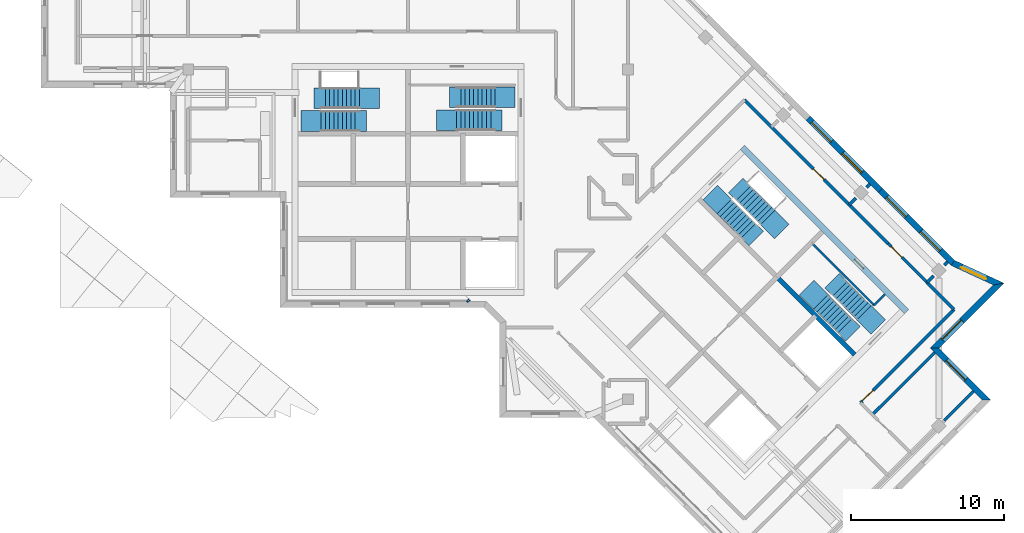
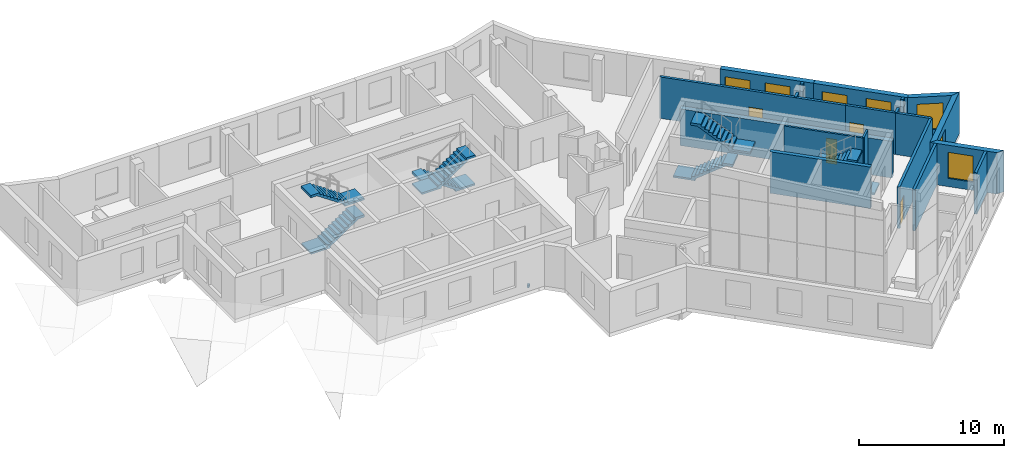
# One storey, part 10 of 13: 20 walls, 8 stair flights, 7 windows, 4 doors, 11 openings, 4 elements without a shape of their own.
"""IFC4 building model written with IfcOpenShell, lengths in metres."""

from ifc_helpers import new_model, si_unit, direction, frame, frame_2d, origin, place, context, subcontext, project, spatial, polyline, rectangle, outline, extrude, material, layer, layer_set, type_object, element, fill, aggregate, save


model = new_model("IFC4")

# Units and contexts
model_context = context("Model", 3, precision=1e-05, world=origin(), true_north=direction((0.0, 1.0)))
body_context = subcontext(model_context, "Body", "Model", "MODEL_VIEW")
ifc_project = project(units=[si_unit("LENGTHUNIT", "METRE"), si_unit("AREAUNIT", "SQUARE_METRE"), si_unit("VOLUMEUNIT", "CUBIC_METRE"), si_unit("PLANEANGLEUNIT", "RADIAN"), si_unit("MASSUNIT", "GRAM", prefix="KILO")], contexts=[model_context])

# Site, building, storey
site_placement = place(None, origin())
site = spatial("IfcSite", under=ifc_project, at=site_placement, CompositionType="ELEMENT")
building_placement = place(site_placement, origin())
building = spatial("IfcBuilding", under=site, at=building_placement, Name="Windrow Commons", CompositionType="ELEMENT")
storey_placement = place(building_placement, frame((0.0, 0.0, 294.4)))
storey = spatial("IfcBuildingStorey", under=building, at=storey_placement, Name="L80", CompositionType="ELEMENT", Elevation=294.4)

# Wall, opening, door
ifc_material_1 = material(Name="Blockwork partition", Category="masonry")
ifc_layer_1 = layer(ifc_material_1, 0.2)
ifc_layer_set_1 = layer_set([ifc_layer_1], Name="IW-CORRIDOR-200")
wall_type_1 = type_object("IfcWallType", Name="IW-CORRIDOR-200", PredefinedType="PARTITIONING", material=ifc_layer_set_1)
wall_1_placement = place(storey_placement, frame((86.833, 62.805, 0.0), z_axis=(0.0, 0.0, 1.0), x_axis=(0.7072045138, -0.7070090351, 0.0)))
wall_1 = element("IfcWall", 1, at=wall_1_placement, inside=storey, type_object=wall_type_1, Name="W-L80-W002", PredefinedType="PARTITIONING", context=body_context, shape_type="SweptSolid", body=[
    extrude(rectangle(XDim=13.3007, YDim=0.2, at=frame_2d((6.6504, 0.0))), origin(), (0.0, 0.0, 1.0), 3.5),
])
opening_1_placement = place(wall_1_placement, frame((6.3871, 0.0, 0.0)))
opening_1 = element("IfcOpeningElement", 2, at=opening_1_placement, cuts=wall_1, Name="Opening D410F", PredefinedType="OPENING", context=body_context, shape_type="SweptSolid", body=[
    extrude(rectangle(XDim=1.0, YDim=2.1, at=frame_2d((0.5, 1.05))), frame((0.0, 0.11, 0.0), z_axis=(0.0, -1.0, 0.0), x_axis=(1.0, 0.0, 0.0)), (0.0, 0.0, 1.0), 0.22),
])
ifc_material_2 = material(Name="Timber door leaf", Category="wood")
door_type_1 = type_object("IfcDoorType", Name="DT-SERVICE-1000", OperationType="SINGLE_SWING_LEFT", PredefinedType="DOOR", material=ifc_material_2)
door_1_placement = place(opening_1_placement, origin())
door_1 = element("IfcDoor", 3, at=door_1_placement, inside=storey, type_object=door_type_1, Name="D-L80-D012", OperationType="SINGLE_SWING_LEFT", OverallHeight=2.1, OverallWidth=1.0, PredefinedType="DOOR", context=body_context, shape_type="SweptSolid", body=[
    extrude(rectangle(XDim=1.0, YDim=2.1, at=frame_2d((0.5, 1.05))), frame((0.0, 0.025, 0.0), z_axis=(0.0, -1.0, 0.0), x_axis=(1.0, 0.0, 0.0)), (0.0, 0.0, 1.0), 0.05),
])
fill(opening_1, door_1)

wall_2_placement = place(storey_placement, frame((94.4376, 42.9744, 0.0), z_axis=(0.0, 0.0, 1.0), x_axis=(0.7071067812, 0.7071067812, 0.0)))
wall_2 = element("IfcWall", 4, at=wall_2_placement, inside=storey, type_object=wall_type_1, Name="W-L80-W007", PredefinedType="PARTITIONING", context=body_context, shape_type="SweptSolid", body=[
    extrude(rectangle(XDim=8.6493, YDim=0.2, at=frame_2d((4.3247, 0.0))), origin(), (0.0, 0.0, 1.0), 3.5),
])
opening_2_placement = place(wall_2_placement, frame((0.1498, 0.0, 0.0)))
opening_2 = element("IfcOpeningElement", 5, at=opening_2_placement, cuts=wall_2, Name="Opening D410F", PredefinedType="OPENING", context=body_context, shape_type="SweptSolid", body=[
    extrude(rectangle(XDim=1.0, YDim=2.1, at=frame_2d((0.5, 1.05))), frame((0.0, 0.11, 0.0), z_axis=(0.0, -1.0, 0.0), x_axis=(1.0, 0.0, 0.0)), (0.0, 0.0, 1.0), 0.22),
])
door_2_placement = place(opening_2_placement, origin())
door_2 = element("IfcDoor", 6, at=door_2_placement, inside=storey, type_object=door_type_1, Name="D-L80-D011", OperationType="SINGLE_SWING_LEFT", OverallHeight=2.1, OverallWidth=1.0, PredefinedType="DOOR", context=body_context, shape_type="SweptSolid", body=[
    extrude(rectangle(XDim=1.0, YDim=2.1, at=frame_2d((0.5, 1.05))), frame((0.0, 0.025, 0.0), z_axis=(0.0, -1.0, 0.0), x_axis=(1.0, 0.0, 0.0)), (0.0, 0.0, 1.0), 0.05),
])
fill(opening_2, door_2)

wall_3_placement = place(storey_placement, frame((96.2437, 53.4057, 0.0), z_axis=(0.0, 0.0, 1.0), x_axis=(0.7068288851, -0.7073845681, 0.0)))
wall_3 = element("IfcWall", 7, at=wall_3_placement, inside=storey, type_object=wall_type_1, Name="W-L80-W027", PredefinedType="PARTITIONING", context=body_context, shape_type="SweptSolid", body=[
    extrude(rectangle(XDim=3.5992, YDim=0.2, at=frame_2d((1.7996, 0.0))), origin(), (0.0, 0.0, 1.0), 3.5),
])
opening_3_placement = place(wall_3_placement, frame((0.2864, 0.0, 0.0)))
opening_3 = element("IfcOpeningElement", 8, at=opening_3_placement, cuts=wall_3, Name="Opening D410F", PredefinedType="OPENING", context=body_context, shape_type="SweptSolid", body=[
    extrude(rectangle(XDim=1.0, YDim=2.1, at=frame_2d((0.5, 1.05))), frame((0.0, 0.11, 0.0), z_axis=(0.0, -1.0, 0.0), x_axis=(1.0, 0.0, 0.0)), (0.0, 0.0, 1.0), 0.22),
])
door_3_placement = place(opening_3_placement, origin())
door_3 = element("IfcDoor", 9, at=door_3_placement, inside=storey, type_object=door_type_1, Name="D-L80-D013", OperationType="SINGLE_SWING_LEFT", OverallHeight=2.1, OverallWidth=1.0, PredefinedType="DOOR", context=body_context, shape_type="SweptSolid", body=[
    extrude(rectangle(XDim=1.0, YDim=2.1, at=frame_2d((0.5, 1.05))), frame((0.0, 0.025, 0.0), z_axis=(0.0, -1.0, 0.0), x_axis=(1.0, 0.0, 0.0)), (0.0, 0.0, 1.0), 0.05),
])
fill(opening_3, door_3)

# Walls
wall_4_placement = place(storey_placement, frame((98.783, 50.855, 0.0), z_axis=(0.0, 0.0, 1.0), x_axis=(0.7071067812, -0.7071067812, 0.0)))
element("IfcWall", 10, at=wall_4_placement, inside=storey, type_object=wall_type_1, Name="W-L80-W041", PredefinedType="PARTITIONING", context=body_context, shape_type="SweptSolid", body=[
    extrude(rectangle(XDim=2.5003, YDim=0.2, at=frame_2d((1.2502, 0.0))), origin(), (0.0, 0.0, 1.0), 3.5),
])
ifc_material_3 = material(Name="Blockwork partition", Category="masonry")
ifc_layer_2 = layer(ifc_material_3, 0.2)
ifc_layer_set_2 = layer_set([ifc_layer_2], Name="IW-PARTY-200")
wall_type_2 = type_object("IfcWallType", Name="IW-PARTY-200", PredefinedType="PARTITIONING", material=ifc_layer_set_2)
for number, where, z_axis, x_axis, name in (
    (11, (98.7858, 50.8582, 0.0), (0.0, 0.0, 1.0), (0.7071067812, 0.7071067812, 0.0), "W-L80-W074"),
    (12, (93.6947, 55.9493, 0.0), (0.0, 0.0, 1.0), (0.7071067812, 0.7071067812, 0.0), "W-L80-W076"),
):
    element("IfcWall", number, at=place(storey_placement, frame(where, z_axis=z_axis, x_axis=x_axis)), inside=storey, type_object=wall_type_2, Name=name, PredefinedType="PARTITIONING", context=body_context, shape_type="SweptSolid", body=[
        extrude(rectangle(XDim=0.6053, YDim=0.2, at=frame_2d((0.3026, 0.0))), origin(), (0.0, 0.0, 1.0), 3.5),
    ])
wall_5_placement = place(storey_placement, frame((95.2174, 42.1946, 0.0), z_axis=(0.0, 0.0, 1.0), x_axis=(0.7072806841, 0.7069328355, 0.0)))
element("IfcWall", 13, at=wall_5_placement, inside=storey, type_object=wall_type_2, Name="W-L80-W012", PredefinedType="PARTITIONING", context=body_context, shape_type="SweptSolid", body=[
    extrude(outline(polyline([(0.0, -0.1), (5.7496, -0.1), (5.7496, 0.1), (0.0, 0.1), (0.0, -0.1)])), origin(), (0.0, 0.0, 1.0), 3.5),
])
wall_6_placement = place(storey_placement, frame((99.914, 41.804, 0.0), z_axis=(0.0, 0.0, 1.0), x_axis=(0.7071067812, 0.7071067812, 0.0)))
element("IfcWall", 14, at=wall_6_placement, inside=storey, type_object=wall_type_2, Name="W-L80-W032", PredefinedType="PARTITIONING", context=body_context, shape_type="SweptSolid", body=[
    extrude(outline(polyline([(0.0, -0.1), (2.7048, -0.1), (2.7048, 0.1), (0.0, 0.1), (0.0, -0.1)])), origin(), (0.0, 0.0, 1.0), 3.5),
])
wall_7_placement = place(storey_placement, frame((99.9167, 51.9833, 0.0), z_axis=(0.0, 0.0, 1.0), x_axis=(0.7087439748, 0.7054657881, 0.0)))
element("IfcWall", 15, at=wall_7_placement, inside=storey, type_object=wall_type_2, Name="W-L80-W077", PredefinedType="PARTITIONING", context=body_context, shape_type="SweptSolid", body=[
    extrude(outline(polyline([(0.0, -0.1), (0.3051, -0.1), (0.3051, 0.1), (0.0, 0.1), (0.0, -0.1)])), origin(), (0.0, 0.0, 1.0), 3.5),
])
wall_8_placement = place(storey_placement, frame((94.8271, 57.073, 0.0), z_axis=(0.0, 0.0, 1.0), x_axis=(0.7053010617, 0.7089079012, 0.0)))
element("IfcWall", 16, at=wall_8_placement, inside=storey, type_object=wall_type_2, Name="W-L80-W078", PredefinedType="PARTITIONING", context=body_context, shape_type="SweptSolid", body=[
    extrude(outline(polyline([(0.0, -0.1), (0.305, -0.1), (0.305, 0.1), (0.0, 0.1), (0.0, -0.1)])), origin(), (0.0, 0.0, 1.0), 3.5),
])

# Wall, opening, door
ifc_material_4 = material(Name="Concrete C40/50", Category="concrete")
ifc_layer_3 = layer(ifc_material_4, 0.4)
ifc_layer_set_3 = layer_set([ifc_layer_3], Name="RC CORE WALL 400 C40/50")
wall_type_3 = type_object("IfcWallType", Name="RC CORE WALL 400 C40/50", PredefinedType="SHEAR", material=ifc_layer_set_3)
wall_9_placement = place(storey_placement, frame((86.6953, 59.6963, -0.3), z_axis=(0.0, 0.0, 1.0), x_axis=(0.7071100706, -0.7071034917, 0.0)))
wall_9 = element("IfcWall", 17, at=wall_9_placement, inside=storey, type_object=wall_type_3, Name="Core B wall outer-N", PredefinedType="SHEAR", context=body_context, shape_type="SweptSolid", body=[
    extrude(outline(polyline([(0.0, 0.0), (15.2, 0.0), (15.2, 3.1), (0.0, 3.1), (0.0, 0.0)])), frame((0.0, 0.2, 0.0), z_axis=(0.0, -1.0, 0.0), x_axis=(1.0, 0.0, 0.0)), (0.0, 0.0, 1.0), 0.4),
])
opening_4_placement = place(wall_9_placement, frame((10.4, 0.0, 0.3)))
opening_4 = element("IfcOpeningElement", 18, at=opening_4_placement, cuts=wall_9, Name="Opening D9", PredefinedType="OPENING", context=body_context, shape_type="SweptSolid", body=[
    extrude(rectangle(XDim=0.8, YDim=2.1, at=frame_2d((0.4, 1.05))), frame((0.0, 0.21, 0.0), z_axis=(0.0, -1.0, 0.0), x_axis=(1.0, 0.0, 0.0)), (0.0, 0.0, 1.0), 0.42),
])
ifc_material_5 = material(Name="Steel fire door leaf", Category="steel")
door_type_2 = type_object("IfcDoorType", Name="Riser access door 800", OperationType="SINGLE_SWING_LEFT", PredefinedType="DOOR", material=ifc_material_5)
door_4_placement = place(opening_4_placement, origin())
door_4 = element("IfcDoor", 19, at=door_4_placement, inside=storey, type_object=door_type_2, Name="Riser access door", OperationType="SINGLE_SWING_RIGHT", OverallHeight=2.1, OverallWidth=0.8, PredefinedType="DOOR", context=body_context, shape_type="SweptSolid", body=[
    extrude(rectangle(XDim=0.8, YDim=2.1, at=frame_2d((0.4, 1.05))), frame((0.0, 0.025, 0.0), z_axis=(0.0, -1.0, 0.0), x_axis=(1.0, 0.0, 0.0)), (0.0, 0.0, 1.0), 0.05),
])
fill(opening_4, door_4)

# Walls
ifc_material_6 = material(Name="Concrete C40/50", Category="concrete")
ifc_layer_4 = layer(ifc_material_6, 0.3)
ifc_layer_set_4 = layer_set([ifc_layer_4], Name="RC SHAFT WALL 300 C40/50")
wall_type_4 = type_object("IfcWallType", Name="RC SHAFT WALL 300 C40/50", PredefinedType="SOLIDWALL", material=ifc_layer_set_4)
wall_10_placement = place(storey_placement, frame((88.9581, 51.2111, 0.0), z_axis=(0.0, 0.0, 1.0), x_axis=(0.7070998367, -0.7071137256, 0.0)))
element("IfcWall", 20, at=wall_10_placement, inside=storey, type_object=wall_type_4, Name="Core B wall stair-S2", PredefinedType="SOLIDWALL", context=body_context, shape_type="SweptSolid", body=[
    extrude(outline(polyline([(0.0, 0.0), (7.2, 0.0), (7.2, 3.5), (0.0, 3.5), (0.0, 0.0)])), frame((0.0, 0.15, 0.0), z_axis=(0.0, -1.0, 0.0), x_axis=(1.0, 0.0, 0.0)), (0.0, 0.0, 1.0), 0.3),
])
ifc_material_7 = material(Name="Blockwork partition", Category="masonry")
ifc_layer_5 = layer(ifc_material_7, 0.15)
ifc_layer_set_5 = layer_set([ifc_layer_5], Name="Riser partition 150")
wall_type_5 = type_object("IfcWallType", Name="Riser partition 150", PredefinedType="PARTITIONING", material=ifc_layer_set_5)
wall_11_placement = place(storey_placement, frame((91.3127, 53.3536, 0.0), z_axis=(0.0, 0.0, 1.0), x_axis=(0.7071067812, -0.7071067812, 0.0)))
element("IfcWall", 21, at=wall_11_placement, inside=storey, type_object=wall_type_5, Name="W-core-strip-B-L80", PredefinedType="PARTITIONING", context=body_context, shape_type="SweptSolid", body=[
    extrude(outline(polyline([(0.0, 0.0), (5.6501, 0.0), (5.6501, 3.5), (0.0, 3.5), (0.0, 0.0)])), frame((0.0, 0.075, 0.0), z_axis=(0.0, -1.0, 0.0), x_axis=(1.0, 0.0, 0.0)), (0.0, 0.0, 1.0), 0.15),
])
wall_12_placement = place(storey_placement, frame((95.3079, 49.3584, 0.0), z_axis=(0.0, 0.0, 1.0), x_axis=(0.70705776, 0.707155799, 0.0)))
element("IfcWall", 22, at=wall_12_placement, inside=storey, type_object=wall_type_5, Name="W-core-stripx-B-L80-1", PredefinedType="PARTITIONING", context=body_context, shape_type="SweptSolid", body=[
    extrude(outline(polyline([(0.0, 0.0), (1.02, 0.0), (1.02, 3.5), (0.0, 3.5), (0.0, 0.0)])), frame((0.0, 0.075, 0.0), z_axis=(0.0, -1.0, 0.0), x_axis=(1.0, 0.0, 0.0)), (0.0, 0.0, 1.0), 0.15),
])
ifc_material_8 = material(Name="Brick masonry, red clay brick", Category="masonry")
ifc_layer_6 = layer(ifc_material_8, 0.2)
ifc_layer_set_6 = layer_set([ifc_layer_6], Name="Terrace edge parapet 200")
wall_type_6 = type_object("IfcWallType", Name="Terrace edge parapet 200", PredefinedType="PARAPET", material=ifc_layer_set_6)
wall_13_placement = place(storey_placement, frame((68.7902, 49.6, 0.0), z_axis=(0.0, 0.0, 1.0), x_axis=(-0.7071067812, 0.7071067812, 0.0)))
element("IfcWall", 23, at=wall_13_placement, inside=storey, type_object=wall_type_6, Name="Terrace parapet TR-L80-3.1.1", PredefinedType="PARAPET", context=body_context, shape_type="SweptSolid", body=[
    extrude(outline(polyline([(0.0, -0.1), (0.1414, -0.1), (0.1414, 0.1), (0.0, 0.1), (0.0, -0.1)])), origin(), (0.0, 0.0, 1.0), 0.25),
])

# Wall, opening, window
ifc_material_9 = material(Name="Standing seam zinc cladding on insulated masonry backing", Category="masonry")
ifc_layer_7 = layer(ifc_material_9, 0.4)
ifc_layer_set_7 = layer_set([ifc_layer_7], Name="Zinc clad crown wall 400")
wall_type_7 = type_object("IfcWallType", Name="Zinc clad crown wall 400", PredefinedType="SOLIDWALL", material=ifc_layer_set_7)
wall_14_placement = place(storey_placement, frame((102.676, 43.15, 0.0), z_axis=(0.0, 0.0, 1.0), x_axis=(-0.7070963646, 0.7071171977, 0.0)))
wall_14 = element("IfcWall", 24, at=wall_14_placement, inside=storey, type_object=wall_type_7, Name="Brick facade wall L80 2", PredefinedType="SOLIDWALL", context=body_context, shape_type="SweptSolid", body=[
    extrude(outline(polyline([(-0.2, -0.2), (4.6001, -0.2), (5.0, 0.2), (0.2, 0.2), (-0.2, -0.2)])), origin(), (0.0, 0.0, 1.0), 3.5),
])
opening_5_placement = place(wall_14_placement, frame((1.9, 0.0, 0.7)))
opening_5 = element("IfcOpeningElement", 25, at=opening_5_placement, cuts=wall_14, Name="Opening W6", PredefinedType="OPENING", context=body_context, shape_type="SweptSolid", body=[
    extrude(rectangle(XDim=1.8, YDim=2.2, at=frame_2d((0.9, 1.1))), frame((0.0, 0.21, 0.0), z_axis=(0.0, -1.0, 0.0), x_axis=(1.0, 0.0, 0.0)), (0.0, 0.0, 1.0), 0.42),
])
ifc_material_10 = material(Name="Clear float glass in anodised aluminium frame", Category="aluminium")
window_type = type_object("IfcWindowType", Name="Window W6 crown 1800x2200", PartitioningType="SINGLE_PANEL", PredefinedType="WINDOW", material=ifc_material_10)
window_1_placement = place(opening_5_placement, origin())
window_1 = element("IfcWindow", 26, at=window_1_placement, inside=storey, type_object=window_type, Name="Window L80 2.1", OverallHeight=2.2, OverallWidth=1.8, PartitioningType="SINGLE_PANEL", PredefinedType="WINDOW", context=body_context, shape_type="SweptSolid", body=[
    extrude(rectangle(XDim=1.8, YDim=2.2, at=frame_2d((0.9, 1.1))), frame((0.0, 0.08, 0.0), z_axis=(0.0, -1.0, 0.0), x_axis=(1.0, 0.0, 0.0)), (0.0, 0.0, 1.0), 0.06),
])
fill(opening_5, window_1)

wall_15_placement = place(storey_placement, frame((99.2819, 46.5442, 0.0), z_axis=(0.0, 0.0, 1.0), x_axis=(0.7071067812, 0.7071067812, 0.0)))
wall_15 = element("IfcWall", 27, at=wall_15_placement, inside=storey, type_object=wall_type_7, Name="Brick facade wall L80 3", PredefinedType="SOLIDWALL", context=body_context, shape_type="SweptSolid", body=[
    extrude(outline(polyline([(0.2, -0.2), (6.23, -0.2), (5.6565, 0.2), (-0.2, 0.2), (0.2, -0.2)])), origin(), (0.0, 0.0, 1.0), 3.5),
])
opening_6_placement = place(wall_15_placement, frame((0.75, 0.0, 0.7)))
opening_6 = element("IfcOpeningElement", 28, at=opening_6_placement, cuts=wall_15, Name="Opening W6", PredefinedType="OPENING", context=body_context, shape_type="SweptSolid", body=[
    extrude(rectangle(XDim=1.8, YDim=2.2, at=frame_2d((0.9, 1.1))), frame((0.0, 0.21, 0.0), z_axis=(0.0, -1.0, 0.0), x_axis=(1.0, 0.0, 0.0)), (0.0, 0.0, 1.0), 0.42),
])
window_2_placement = place(opening_6_placement, origin())
window_2 = element("IfcWindow", 29, at=window_2_placement, inside=storey, type_object=window_type, Name="Window L80 3.1", OverallHeight=2.2, OverallWidth=1.8, PartitioningType="SINGLE_PANEL", PredefinedType="WINDOW", context=body_context, shape_type="SweptSolid", body=[
    extrude(rectangle(XDim=1.8, YDim=2.2, at=frame_2d((0.9, 1.1))), frame((0.0, 0.08, 0.0), z_axis=(0.0, -1.0, 0.0), x_axis=(1.0, 0.0, 0.0)), (0.0, 0.0, 1.0), 0.06),
])
fill(opening_6, window_2)

wall_16_placement = place(storey_placement, frame((103.4844, 50.7467, 0.0), z_axis=(0.0, 0.0, 1.0), x_axis=(-0.9078558767, 0.4192823716, 0.0)))
wall_16 = element("IfcWall", 30, at=wall_16_placement, inside=storey, type_object=wall_type_7, Name="Brick facade wall L80 4", PredefinedType="SOLIDWALL", context=body_context, shape_type="SweptSolid", body=[
    extrude(outline(polyline([(-0.2868, -0.2), (3.2735, -0.2), (3.3448, 0.2), (0.2868, 0.2), (-0.2868, -0.2)])), origin(), (0.0, 0.0, 1.0), 3.5),
])
opening_7_placement = place(wall_16_placement, frame((0.898, 0.0, 0.7)))
opening_7 = element("IfcOpeningElement", 31, at=opening_7_placement, cuts=wall_16, Name="Opening W6", PredefinedType="OPENING", context=body_context, shape_type="SweptSolid", body=[
    extrude(rectangle(XDim=1.8, YDim=2.2, at=frame_2d((0.9, 1.1))), frame((0.0, 0.21, 0.0), z_axis=(0.0, -1.0, 0.0), x_axis=(1.0, 0.0, 0.0)), (0.0, 0.0, 1.0), 0.42),
])
window_3_placement = place(opening_7_placement, origin())
window_3 = element("IfcWindow", 32, at=window_3_placement, inside=storey, type_object=window_type, Name="Window L80 4.1", OverallHeight=2.2, OverallWidth=1.8, PartitioningType="SINGLE_PANEL", PredefinedType="WINDOW", context=body_context, shape_type="SweptSolid", body=[
    extrude(rectangle(XDim=1.8, YDim=2.2, at=frame_2d((0.9, 1.1))), frame((0.0, 0.08, 0.0), z_axis=(0.0, -1.0, 0.0), x_axis=(1.0, 0.0, 0.0)), (0.0, 0.0, 1.0), 0.06),
])
fill(opening_7, window_3)

# Wall, openings, windows
wall_17_placement = place(storey_placement, frame((100.4801, 52.1342, 0.0), z_axis=(0.0, 0.0, 1.0), x_axis=(-0.7071067812, 0.7071067812, 0.0)))
wall_17 = element("IfcWall", 33, at=wall_17_placement, inside=storey, type_object=wall_type_7, Name="Brick facade wall L80 5", PredefinedType="SOLIDWALL", context=body_context, shape_type="SweptSolid", body=[
    extrude(outline(polyline([(0.0356, -0.2), (6.7178, -0.2), (6.7178, 0.2), (-0.0356, 0.2), (0.0356, -0.2)])), origin(), (0.0, 0.0, 1.0), 3.5),
])
opening_8_placement = place(wall_17_placement, frame((1.1473, 0.0, 0.7)))
opening_8 = element("IfcOpeningElement", 34, at=opening_8_placement, cuts=wall_17, Name="Opening W6", PredefinedType="OPENING", context=body_context, shape_type="SweptSolid", body=[
    extrude(rectangle(XDim=1.8, YDim=2.2, at=frame_2d((0.9, 1.1))), frame((0.0, 0.21, 0.0), z_axis=(0.0, -1.0, 0.0), x_axis=(1.0, 0.0, 0.0)), (0.0, 0.0, 1.0), 0.42),
])
opening_9_placement = place(wall_17_placement, frame((4.3062, 0.0, 0.7)))
opening_9 = element("IfcOpeningElement", 35, at=opening_9_placement, cuts=wall_17, Name="Opening W6", PredefinedType="OPENING", context=body_context, shape_type="SweptSolid", body=[
    extrude(rectangle(XDim=1.8, YDim=2.2, at=frame_2d((0.9, 1.1))), frame((0.0, 0.21, 0.0), z_axis=(0.0, -1.0, 0.0), x_axis=(1.0, 0.0, 0.0)), (0.0, 0.0, 1.0), 0.42),
])
window_4_placement = place(opening_8_placement, origin())
window_4 = element("IfcWindow", 36, at=window_4_placement, inside=storey, type_object=window_type, Name="Window L80 5.1", OverallHeight=2.2, OverallWidth=1.8, PartitioningType="SINGLE_PANEL", PredefinedType="WINDOW", context=body_context, shape_type="SweptSolid", body=[
    extrude(rectangle(XDim=1.8, YDim=2.2, at=frame_2d((0.9, 1.1))), frame((0.0, 0.08, 0.0), z_axis=(0.0, -1.0, 0.0), x_axis=(1.0, 0.0, 0.0)), (0.0, 0.0, 1.0), 0.06),
])
fill(opening_8, window_4)
window_5_placement = place(opening_9_placement, origin())
window_5 = element("IfcWindow", 37, at=window_5_placement, inside=storey, type_object=window_type, Name="Window L80 5.2", OverallHeight=2.2, OverallWidth=1.8, PartitioningType="SINGLE_PANEL", PredefinedType="WINDOW", context=body_context, shape_type="SweptSolid", body=[
    extrude(rectangle(XDim=1.8, YDim=2.2, at=frame_2d((0.9, 1.1))), frame((0.0, 0.08, 0.0), z_axis=(0.0, -1.0, 0.0), x_axis=(1.0, 0.0, 0.0)), (0.0, 0.0, 1.0), 0.06),
])
fill(opening_9, window_5)

wall_18_placement = place(storey_placement, frame((95.7299, 56.8844, 0.0), z_axis=(0.0, 0.0, 1.0), x_axis=(-0.7071067812, 0.7071067812, 0.0)))
wall_18 = element("IfcWall", 38, at=wall_18_placement, inside=storey, type_object=wall_type_7, Name="Brick facade wall L80 6", PredefinedType="SOLIDWALL", context=body_context, shape_type="SweptSolid", body=[
    extrude(outline(polyline([(0.0, -0.2), (6.6821, -0.2), (6.6821, 0.2), (0.0, 0.2), (0.0, -0.2)])), origin(), (0.0, 0.0, 1.0), 3.5),
])
opening_10_placement = place(wall_18_placement, frame((1.6768, 0.0, 0.7)))
opening_10 = element("IfcOpeningElement", 39, at=opening_10_placement, cuts=wall_18, Name="Opening W6", PredefinedType="OPENING", context=body_context, shape_type="SweptSolid", body=[
    extrude(rectangle(XDim=1.8, YDim=2.2, at=frame_2d((0.9, 1.1))), frame((0.0, 0.21, 0.0), z_axis=(0.0, -1.0, 0.0), x_axis=(1.0, 0.0, 0.0)), (0.0, 0.0, 1.0), 0.42),
])
opening_11_placement = place(wall_18_placement, frame((4.5295, 0.0, 0.7)))
opening_11 = element("IfcOpeningElement", 40, at=opening_11_placement, cuts=wall_18, Name="Opening W6", PredefinedType="OPENING", context=body_context, shape_type="SweptSolid", body=[
    extrude(rectangle(XDim=1.8, YDim=2.2, at=frame_2d((0.9, 1.1))), frame((0.0, 0.21, 0.0), z_axis=(0.0, -1.0, 0.0), x_axis=(1.0, 0.0, 0.0)), (0.0, 0.0, 1.0), 0.42),
])
window_6_placement = place(opening_10_placement, origin())
window_6 = element("IfcWindow", 41, at=window_6_placement, inside=storey, type_object=window_type, Name="Window L80 6.1", OverallHeight=2.2, OverallWidth=1.8, PartitioningType="SINGLE_PANEL", PredefinedType="WINDOW", context=body_context, shape_type="SweptSolid", body=[
    extrude(rectangle(XDim=1.8, YDim=2.2, at=frame_2d((0.9, 1.1))), frame((0.0, 0.08, 0.0), z_axis=(0.0, -1.0, 0.0), x_axis=(1.0, 0.0, 0.0)), (0.0, 0.0, 1.0), 0.06),
])
fill(opening_10, window_6)
window_7_placement = place(opening_11_placement, origin())
window_7 = element("IfcWindow", 42, at=window_7_placement, inside=storey, type_object=window_type, Name="Window L80 6.2", OverallHeight=2.2, OverallWidth=1.8, PartitioningType="SINGLE_PANEL", PredefinedType="WINDOW", context=body_context, shape_type="SweptSolid", body=[
    extrude(rectangle(XDim=1.8, YDim=2.2, at=frame_2d((0.9, 1.1))), frame((0.0, 0.08, 0.0), z_axis=(0.0, -1.0, 0.0), x_axis=(1.0, 0.0, 0.0)), (0.0, 0.0, 1.0), 0.06),
])
fill(opening_11, window_7)

# Stair, stair flights
ifc_material_11 = material(Name="Concrete C40/50", Category="concrete")
stair_type = type_object("IfcStairType", Name="Core stair", PredefinedType="HALF_TURN_STAIR", material=ifc_material_11)
placement = place(storey_placement, origin())
stair_1 = element("IfcStair", 43, at=placement, inside=storey, type_object=stair_type, Name="L80 Exit stair A1 core A", PredefinedType="HALF_TURN_STAIR")
ifc_material_12 = material(Name="Concrete C40/50", Category="concrete")
stair_flight_type = type_object("IfcStairFlightType", Name="Core stair flight", PredefinedType="STRAIGHT", material=ifc_material_12)
stair_flight_1_placement = place(storey_placement, frame((59.1, 61.425, 0.0), z_axis=(0.0, 0.0, 1.0), x_axis=(1.0, 0.0, 0.0)))
stair_flight_1 = element("IfcStairFlight", 44, at=stair_flight_1_placement, type_object=stair_flight_type, Name="ST-A1 flight 1", NumberOfRisers=10, NumberOfTreads=9, PredefinedType="STRAIGHT", RiserHeight=0.19, TreadLength=0.28, context=body_context, shape_type="SweptSolid", body=[
    extrude(outline(polyline([(-1.3, -0.15), (-1.3, 0.0), (0.0, 0.0), (0.0, 0.19), (0.28, 0.19), (0.28, 0.38), (0.56, 0.38), (0.56, 0.57), (0.84, 0.57), (0.84, 0.76), (1.12, 0.76), (1.12, 0.95), (1.4, 0.95), (1.4, 1.14), (1.68, 1.14), (1.68, 1.33), (1.96, 1.33), (1.96, 1.52), (2.24, 1.52), (2.24, 1.71), (2.52, 1.71), (2.97, 1.71), (2.97, 1.51), (2.52, 1.51), (2.52, 1.5287), (0.2671, 0.0), (0.2671, -0.15), (-1.3, -0.15)])), frame((0.0, 0.675, 0.0), z_axis=(0.0, -1.0, 0.0), x_axis=(1.0, 0.0, 0.0)), (0.0, 0.0, 1.0), 1.35),
])
stair_flight_2_placement = place(storey_placement, frame((61.62, 62.925, 1.9), z_axis=(0.0, 0.0, 1.0), x_axis=(-1.0, 0.0, 0.0)))
stair_flight_2 = element("IfcStairFlight", 45, at=stair_flight_2_placement, type_object=stair_flight_type, Name="ST-A1 flight 2", NumberOfRisers=10, NumberOfTreads=9, PredefinedType="STRAIGHT", RiserHeight=0.19, TreadLength=0.28, context=body_context, shape_type="SweptSolid", body=[
    extrude(outline(polyline([(-1.3, -0.15), (-1.3, 0.0), (0.0, 0.0), (0.0, 0.19), (0.28, 0.19), (0.28, 0.38), (0.56, 0.38), (0.56, 0.57), (0.84, 0.57), (0.84, 0.76), (1.12, 0.76), (1.12, 0.95), (1.4, 0.95), (1.4, 1.14), (1.68, 1.14), (1.68, 1.33), (1.96, 1.33), (1.96, 1.52), (2.24, 1.52), (2.24, 1.71), (2.52, 1.71), (2.97, 1.71), (2.97, 1.51), (2.52, 1.51), (2.52, 1.5287), (0.2671, 0.0), (0.2671, -0.15), (-1.3, -0.15)])), frame((0.0, 0.675, 0.0), z_axis=(0.0, -1.0, 0.0), x_axis=(1.0, 0.0, 0.0)), (0.0, 0.0, 1.0), 1.35),
])
aggregate(stair_1, [stair_flight_1, stair_flight_2])

stair_2 = element("IfcStair", 46, at=placement, inside=storey, type_object=stair_type, Name="L80 Exit stair A2 core A", PredefinedType="HALF_TURN_STAIR")
stair_flight_3_placement = place(storey_placement, frame((70.5, 62.98, 0.0), z_axis=(0.0, 0.0, 1.0), x_axis=(-1.0, 0.0, 0.0)))
stair_flight_3 = element("IfcStairFlight", 47, at=stair_flight_3_placement, type_object=stair_flight_type, Name="ST-A2 flight 1", NumberOfRisers=10, NumberOfTreads=9, PredefinedType="STRAIGHT", RiserHeight=0.19, TreadLength=0.28, context=body_context, shape_type="SweptSolid", body=[
    extrude(outline(polyline([(-1.3, -0.15), (-1.3, 0.0), (0.0, 0.0), (0.0, 0.19), (0.28, 0.19), (0.28, 0.38), (0.56, 0.38), (0.56, 0.57), (0.84, 0.57), (0.84, 0.76), (1.12, 0.76), (1.12, 0.95), (1.4, 0.95), (1.4, 1.14), (1.68, 1.14), (1.68, 1.33), (1.96, 1.33), (1.96, 1.52), (2.24, 1.52), (2.24, 1.71), (2.52, 1.71), (2.97, 1.71), (2.97, 1.51), (2.52, 1.51), (2.52, 1.5287), (0.2671, 0.0), (0.2671, -0.15), (-1.3, -0.15)])), frame((0.0, 0.675, 0.0), z_axis=(0.0, -1.0, 0.0), x_axis=(1.0, 0.0, 0.0)), (0.0, 0.0, 1.0), 1.35),
])
stair_flight_4_placement = place(storey_placement, frame((67.98, 61.48, 1.9), z_axis=(0.0, 0.0, 1.0), x_axis=(1.0, 0.0, 0.0)))
stair_flight_4 = element("IfcStairFlight", 48, at=stair_flight_4_placement, type_object=stair_flight_type, Name="ST-A2 flight 2", NumberOfRisers=10, NumberOfTreads=9, PredefinedType="STRAIGHT", RiserHeight=0.19, TreadLength=0.28, context=body_context, shape_type="SweptSolid", body=[
    extrude(outline(polyline([(-1.3, -0.15), (-1.3, 0.0), (0.0, 0.0), (0.0, 0.19), (0.28, 0.19), (0.28, 0.38), (0.56, 0.38), (0.56, 0.57), (0.84, 0.57), (0.84, 0.76), (1.12, 0.76), (1.12, 0.95), (1.4, 0.95), (1.4, 1.14), (1.68, 1.14), (1.68, 1.33), (1.96, 1.33), (1.96, 1.52), (2.24, 1.52), (2.24, 1.71), (2.52, 1.71), (2.97, 1.71), (2.97, 1.51), (2.52, 1.51), (2.52, 1.5287), (0.2671, 0.0), (0.2671, -0.15), (-1.3, -0.15)])), frame((0.0, 0.675, 0.0), z_axis=(0.0, -1.0, 0.0), x_axis=(1.0, 0.0, 0.0)), (0.0, 0.0, 1.0), 1.35),
])
aggregate(stair_2, [stair_flight_3, stair_flight_4])

stair_3 = element("IfcStair", 49, at=placement, inside=storey, type_object=stair_type, Name="L80 Exit stair B1 core B", PredefinedType="HALF_TURN_STAIR")
stair_flight_5_placement = place(storey_placement, frame((85.5109, 55.8249, 0.0), z_axis=(0.0, 0.0, 1.0), x_axis=(0.7071067812, -0.7071067812, 0.0)))
stair_flight_5 = element("IfcStairFlight", 50, at=stair_flight_5_placement, type_object=stair_flight_type, Name="ST-B1 flight 1", NumberOfRisers=10, NumberOfTreads=9, PredefinedType="STRAIGHT", RiserHeight=0.19, TreadLength=0.28, context=body_context, shape_type="SweptSolid", body=[
    extrude(outline(polyline([(-1.3, -0.15), (-1.3, 0.0), (0.0, 0.0), (0.0, 0.19), (0.28, 0.19), (0.28, 0.38), (0.56, 0.38), (0.56, 0.57), (0.84, 0.57), (0.84, 0.76), (1.12, 0.76), (1.12, 0.95), (1.4, 0.95), (1.4, 1.14), (1.68, 1.14), (1.68, 1.33), (1.96, 1.33), (1.96, 1.52), (2.24, 1.52), (2.24, 1.71), (2.52, 1.71), (2.97, 1.71), (2.97, 1.51), (2.52, 1.51), (2.52, 1.5287), (0.2671, 0.0), (0.2671, -0.15), (-1.3, -0.15)])), frame((0.0, 0.675, 0.0), z_axis=(0.0, -1.0, 0.0), x_axis=(1.0, 0.0, 0.0)), (0.0, 0.0, 1.0), 1.35),
])
stair_flight_6_placement = place(storey_placement, frame((88.3535, 55.1037, 1.9), z_axis=(0.0, 0.0, 1.0), x_axis=(-0.7071067812, 0.7071067812, 0.0)))
stair_flight_6 = element("IfcStairFlight", 51, at=stair_flight_6_placement, type_object=stair_flight_type, Name="ST-B1 flight 2", NumberOfRisers=10, NumberOfTreads=9, PredefinedType="STRAIGHT", RiserHeight=0.19, TreadLength=0.28, context=body_context, shape_type="SweptSolid", body=[
    extrude(outline(polyline([(-1.3, -0.15), (-1.3, 0.0), (0.0, 0.0), (0.0, 0.19), (0.28, 0.19), (0.28, 0.38), (0.56, 0.38), (0.56, 0.57), (0.84, 0.57), (0.84, 0.76), (1.12, 0.76), (1.12, 0.95), (1.4, 0.95), (1.4, 1.14), (1.68, 1.14), (1.68, 1.33), (1.96, 1.33), (1.96, 1.52), (2.24, 1.52), (2.24, 1.71), (2.52, 1.71), (2.97, 1.71), (2.97, 1.51), (2.52, 1.51), (2.52, 1.5287), (0.2671, 0.0), (0.2671, -0.15), (-1.3, -0.15)])), frame((0.0, 0.675, 0.0), z_axis=(0.0, -1.0, 0.0), x_axis=(1.0, 0.0, 0.0)), (0.0, 0.0, 1.0), 1.35),
])
aggregate(stair_3, [stair_flight_5, stair_flight_6])

stair_4 = element("IfcStair", 52, at=placement, inside=storey, type_object=stair_type, Name="L80 Exit stair B2 core B", PredefinedType="HALF_TURN_STAIR")
stair_flight_7_placement = place(storey_placement, frame((94.6715, 48.8635, 0.0), z_axis=(0.0, 0.0, 1.0), x_axis=(-0.7071067812, 0.7071067812, 0.0)))
stair_flight_7 = element("IfcStairFlight", 53, at=stair_flight_7_placement, type_object=stair_flight_type, Name="ST-B2 flight 1", NumberOfRisers=10, NumberOfTreads=9, PredefinedType="STRAIGHT", RiserHeight=0.19, TreadLength=0.28, context=body_context, shape_type="SweptSolid", body=[
    extrude(outline(polyline([(-1.3, -0.15), (-1.3, 0.0), (0.0, 0.0), (0.0, 0.19), (0.28, 0.19), (0.28, 0.38), (0.56, 0.38), (0.56, 0.57), (0.84, 0.57), (0.84, 0.76), (1.12, 0.76), (1.12, 0.95), (1.4, 0.95), (1.4, 1.14), (1.68, 1.14), (1.68, 1.33), (1.96, 1.33), (1.96, 1.52), (2.24, 1.52), (2.24, 1.71), (2.52, 1.71), (2.97, 1.71), (2.97, 1.51), (2.52, 1.51), (2.52, 1.5287), (0.2671, 0.0), (0.2671, -0.15), (-1.3, -0.15)])), frame((0.0, 0.675, 0.0), z_axis=(0.0, -1.0, 0.0), x_axis=(1.0, 0.0, 0.0)), (0.0, 0.0, 1.0), 1.35),
])
stair_flight_8_placement = place(storey_placement, frame((91.8289, 49.5847, 1.9), z_axis=(0.0, 0.0, 1.0), x_axis=(0.7071067812, -0.7071067812, 0.0)))
stair_flight_8 = element("IfcStairFlight", 54, at=stair_flight_8_placement, type_object=stair_flight_type, Name="ST-B2 flight 2", NumberOfRisers=10, NumberOfTreads=9, PredefinedType="STRAIGHT", RiserHeight=0.19, TreadLength=0.28, context=body_context, shape_type="SweptSolid", body=[
    extrude(outline(polyline([(-1.3, -0.15), (-1.3, 0.0), (0.0, 0.0), (0.0, 0.19), (0.28, 0.19), (0.28, 0.38), (0.56, 0.38), (0.56, 0.57), (0.84, 0.57), (0.84, 0.76), (1.12, 0.76), (1.12, 0.95), (1.4, 0.95), (1.4, 1.14), (1.68, 1.14), (1.68, 1.33), (1.96, 1.33), (1.96, 1.52), (2.24, 1.52), (2.24, 1.71), (2.52, 1.71), (2.97, 1.71), (2.97, 1.51), (2.52, 1.51), (2.52, 1.5287), (0.2671, 0.0), (0.2671, -0.15), (-1.3, -0.15)])), frame((0.0, 0.675, 0.0), z_axis=(0.0, -1.0, 0.0), x_axis=(1.0, 0.0, 0.0)), (0.0, 0.0, 1.0), 1.35),
])
aggregate(stair_4, [stair_flight_7, stair_flight_8])

save(model, "model.ifc")
